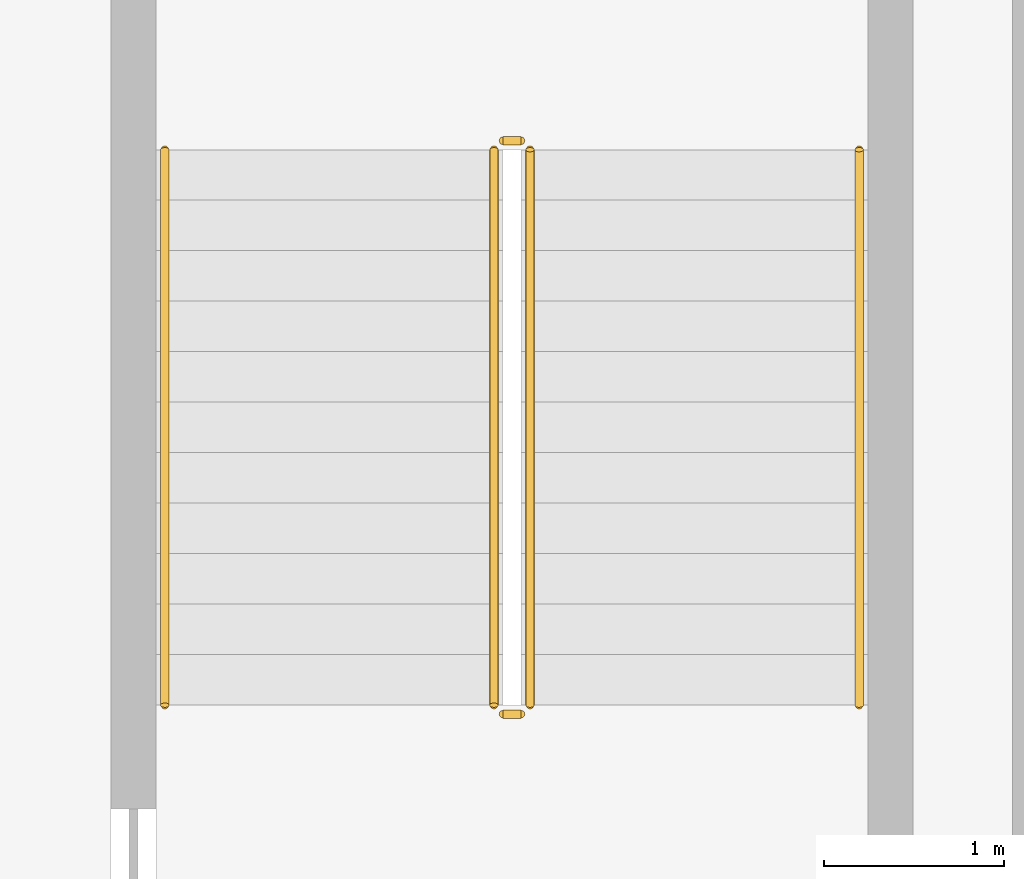
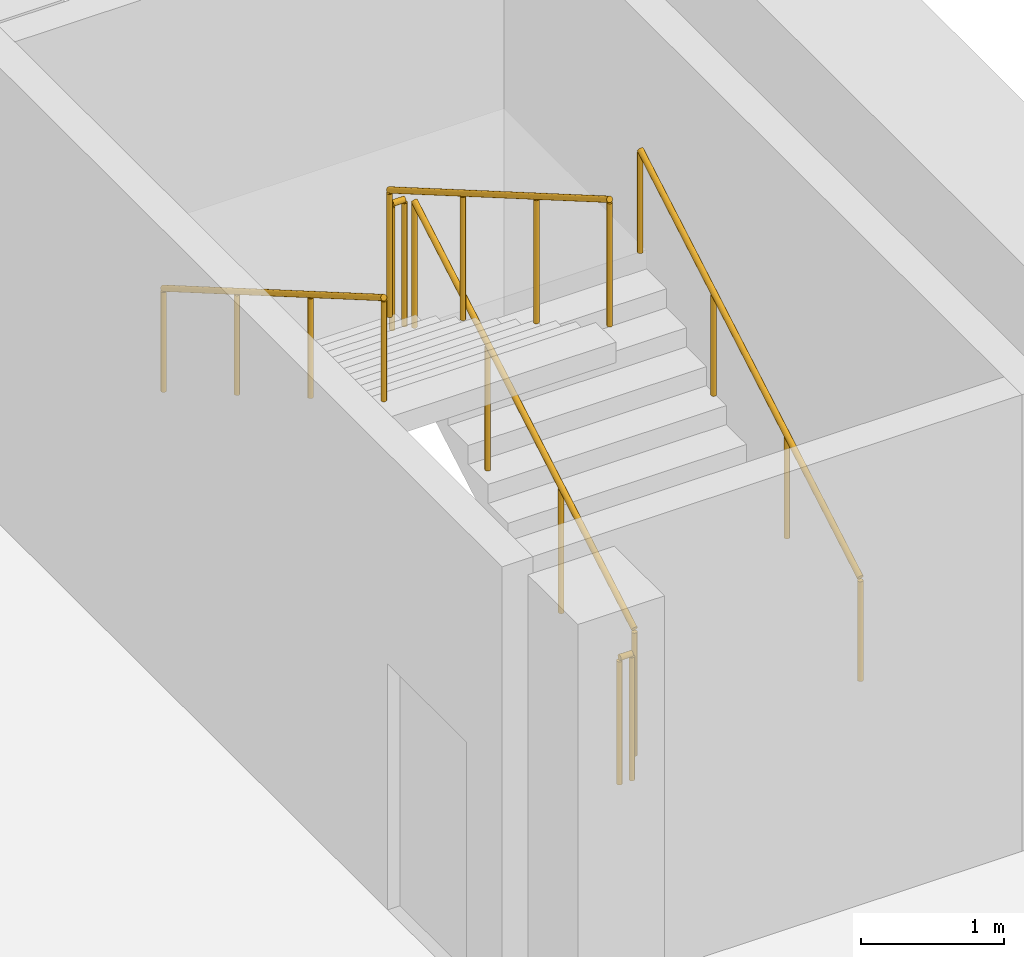
# One storey, part 22 of 25: 6 railings.
"""IFC4 building model written with IfcOpenShell, lengths in metres."""

from ifc_helpers import new_model, si_unit, direction, frame, origin, origin_2d, place, context, subcontext, project, spatial, circle, extrude, material, type_object, element, save


model = new_model("IFC4")

# Units and contexts
model_context = context("Model", 3, precision=1e-05, world=origin(), true_north=direction((0.0, 1.0)))
body_context = subcontext(model_context, "Body", "Model", "MODEL_VIEW")
ifc_project = project(units=[si_unit("LENGTHUNIT", "METRE"), si_unit("AREAUNIT", "SQUARE_METRE"), si_unit("VOLUMEUNIT", "CUBIC_METRE"), si_unit("PLANEANGLEUNIT", "RADIAN"), si_unit("MASSUNIT", "GRAM", prefix="KILO")], contexts=[model_context])

# Site, building, storey
site_placement = place(None, origin())
site = spatial("IfcSite", under=ifc_project, at=site_placement, CompositionType="ELEMENT")
building_placement = place(site_placement, origin())
building = spatial("IfcBuilding", under=site, at=building_placement, Name="Verdalira Terraces Hotel", CompositionType="ELEMENT")
storey_placement = place(building_placement, frame((0.0, 0.0, -3.899902)))
storey = spatial("IfcBuildingStorey", under=building, at=storey_placement, Name="B1", CompositionType="ELEMENT", Elevation=-3.89990234375)

# Railings
ifc_material_1 = material(Name="Stainless steel", Category="steel")
railing_type_1 = type_object("IfcRailingType", Name="Stair guard 1100", PredefinedType="GUARDRAIL", material=ifc_material_1)
railing_1_placement = place(storey_placement, frame((50.324951, -30.975098, 0.162354)))
element("IfcRailing", 1, at=railing_1_placement, inside=storey, type_object=railing_type_1, Name="B1 Basement stair 2 stair guard 1", PredefinedType="GUARDRAIL", context=body_context, shape_type="SweptSolid", body=[
    extrude(circle(Radius=0.023926, at=origin_2d()), frame((0.0, 0.0, 1.076172), z_axis=(0.0, 0.864890721, 0.501960198), x_axis=(-1.0, 0.0, 0.0)), (0.0, 0.0, 1.0), 3.561279),
    extrude(circle(Radius=0.020996, at=origin_2d()), origin(), (0.0, 0.0, 1.0), 1.052002),
    extrude(circle(Radius=0.020996, at=origin_2d()), frame((0.0, 1.026611, 0.595947)), (0.0, 0.0, 1.0), 1.052002),
    extrude(circle(Radius=0.020996, at=origin_2d()), frame((0.0, 2.053467, 1.19165)), (0.0, 0.0, 1.0), 1.052002),
    extrude(circle(Radius=0.020996, at=origin_2d()), frame((0.0, 3.080078, 1.787598)), (0.0, 0.0, 1.0), 1.052002),
])
railing_2_placement = place(storey_placement, frame((50.274902, -27.844971, 1.949951)))
element("IfcRailing", 2, at=railing_2_placement, inside=storey, type_object=railing_type_1, Name="B1 Basement stair 2 stair guard 2", PredefinedType="GUARDRAIL", context=body_context, shape_type="SweptSolid", body=[
    extrude(circle(Radius=0.023926, at=origin_2d()), frame((0.0, 0.0, 1.076172), z_axis=(-1.0, 0.0, 0.0), x_axis=(0.0, -1.0, 0.0)), (0.0, 0.0, 1.0), 0.099854),
    extrude(circle(Radius=0.020996, at=origin_2d()), origin(), (0.0, 0.0, 1.0), 1.052002),
    extrude(circle(Radius=0.020996, at=origin_2d()), frame((-0.099854, 0.0, 0.0)), (0.0, 0.0, 1.0), 1.052002),
])
railing_3_placement = place(storey_placement, frame((50.125, -27.89502, 2.112305)))
element("IfcRailing", 3, at=railing_3_placement, inside=storey, type_object=railing_type_1, Name="B1 Basement stair 2 stair guard 3", PredefinedType="GUARDRAIL", context=body_context, shape_type="SweptSolid", body=[
    extrude(circle(Radius=0.023926, at=origin_2d()), frame((0.0, 0.0, 1.076172), z_axis=(0.0, -0.864890721, 0.501960198), x_axis=(1.0, 0.0, 0.0)), (0.0, 0.0, 1.0), 3.561279),
    extrude(circle(Radius=0.020996, at=origin_2d()), origin(), (0.0, 0.0, 1.0), 1.052002),
    extrude(circle(Radius=0.020996, at=origin_2d()), frame((0.0, -1.026611, 0.595947)), (0.0, 0.0, 1.0), 1.052002),
    extrude(circle(Radius=0.020996, at=origin_2d()), frame((0.0, -2.053467, 1.19165)), (0.0, 0.0, 1.0), 1.052002),
    extrude(circle(Radius=0.020996, at=origin_2d()), frame((0.0, -3.080078, 1.787598)), (0.0, 0.0, 1.0), 1.052002),
])
railing_4_placement = place(storey_placement, frame((50.274902, -31.024902, 0.0)))
element("IfcRailing", 4, at=railing_4_placement, inside=storey, type_object=railing_type_1, Name="B1 Basement stair 2 stair guard 4", PredefinedType="GUARDRAIL", context=body_context, shape_type="SweptSolid", body=[
    extrude(circle(Radius=0.023926, at=origin_2d()), frame((0.0, 0.0, 1.076172), z_axis=(-1.0, 0.0, 0.0), x_axis=(0.0, -1.0, 0.0)), (0.0, 0.0, 1.0), 0.099854),
    extrude(circle(Radius=0.020996, at=origin_2d()), origin(), (0.0, 0.0, 1.0), 1.052002),
    extrude(circle(Radius=0.020996, at=origin_2d()), frame((-0.099854, 0.0, 0.0)), (0.0, 0.0, 1.0), 1.052002),
])
ifc_material_2 = material(Name="Stainless steel", Category="steel")
railing_type_2 = type_object("IfcRailingType", Name="Stair handrail 900", PredefinedType="HANDRAIL", material=ifc_material_2)
railing_5_placement = place(storey_placement, frame((52.149902, -30.975098, 0.162354)))
element("IfcRailing", 5, at=railing_5_placement, inside=storey, type_object=railing_type_2, Name="B1 Basement stair 2 stair handrail 1", PredefinedType="HANDRAIL", context=body_context, shape_type="SweptSolid", body=[
    extrude(circle(Radius=0.023926, at=origin_2d()), frame((0.0, 0.0, 0.875977), z_axis=(0.0, 0.864890721, 0.501960198), x_axis=(-1.0, 0.0, 0.0)), (0.0, 0.0, 1.0), 3.561279),
    extrude(circle(Radius=0.020996, at=origin_2d()), origin(), (0.0, 0.0, 1.0), 0.851807),
    extrude(circle(Radius=0.020996, at=origin_2d()), frame((0.0, 1.026611, 0.595947)), (0.0, 0.0, 1.0), 0.851807),
    extrude(circle(Radius=0.020996, at=origin_2d()), frame((0.0, 2.053467, 1.19165)), (0.0, 0.0, 1.0), 0.851807),
    extrude(circle(Radius=0.020996, at=origin_2d()), frame((0.0, 3.080078, 1.787598)), (0.0, 0.0, 1.0), 0.851807),
])
railing_6_placement = place(storey_placement, frame((48.300049, -27.89502, 2.112305)))
element("IfcRailing", 6, at=railing_6_placement, inside=storey, type_object=railing_type_2, Name="B1 Basement stair 2 stair handrail 2", PredefinedType="HANDRAIL", context=body_context, shape_type="SweptSolid", body=[
    extrude(circle(Radius=0.023926, at=origin_2d()), frame((0.0, 0.0, 0.875977), z_axis=(0.0, -0.864890721, 0.501960198), x_axis=(1.0, 0.0, 0.0)), (0.0, 0.0, 1.0), 3.561279),
    extrude(circle(Radius=0.020996, at=origin_2d()), origin(), (0.0, 0.0, 1.0), 0.851807),
    extrude(circle(Radius=0.020996, at=origin_2d()), frame((0.0, -1.026611, 0.595947)), (0.0, 0.0, 1.0), 0.851807),
    extrude(circle(Radius=0.020996, at=origin_2d()), frame((0.0, -2.053467, 1.19165)), (0.0, 0.0, 1.0), 0.851807),
    extrude(circle(Radius=0.020996, at=origin_2d()), frame((0.0, -3.080078, 1.787598)), (0.0, 0.0, 1.0), 0.851807),
])

save(model, "model.ifc")
